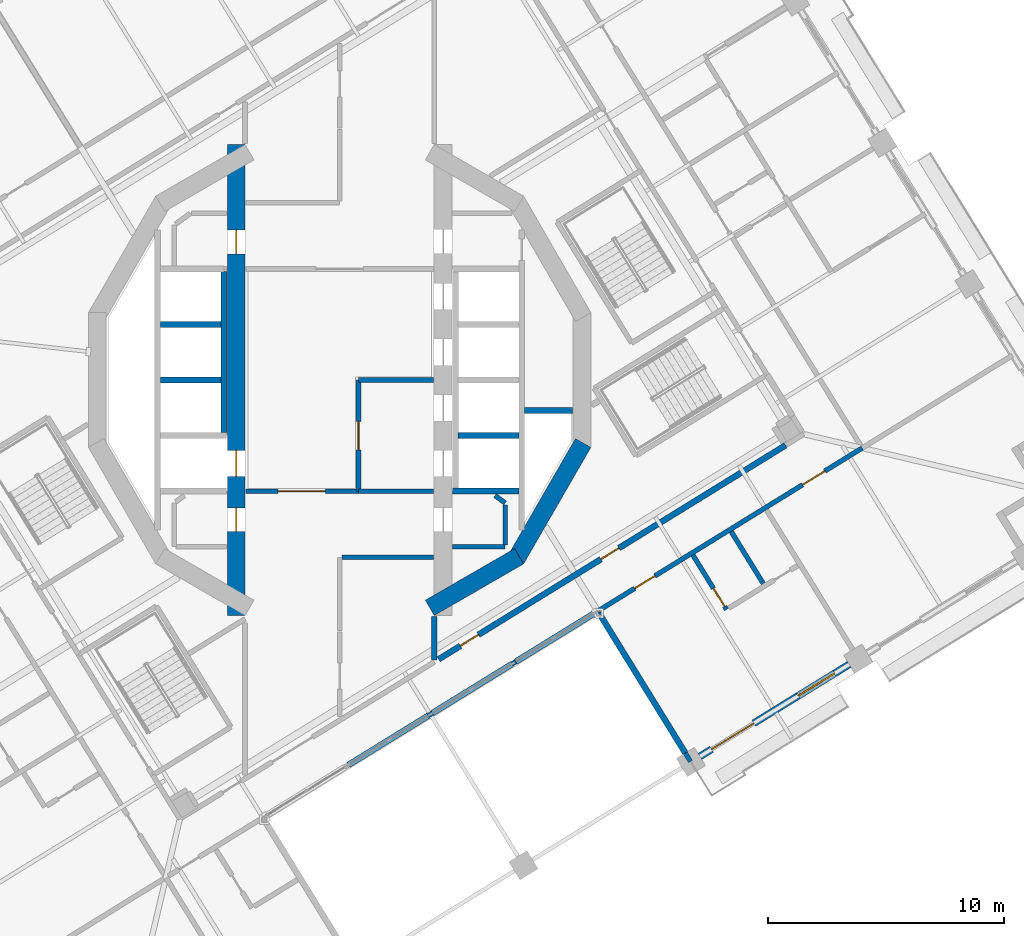
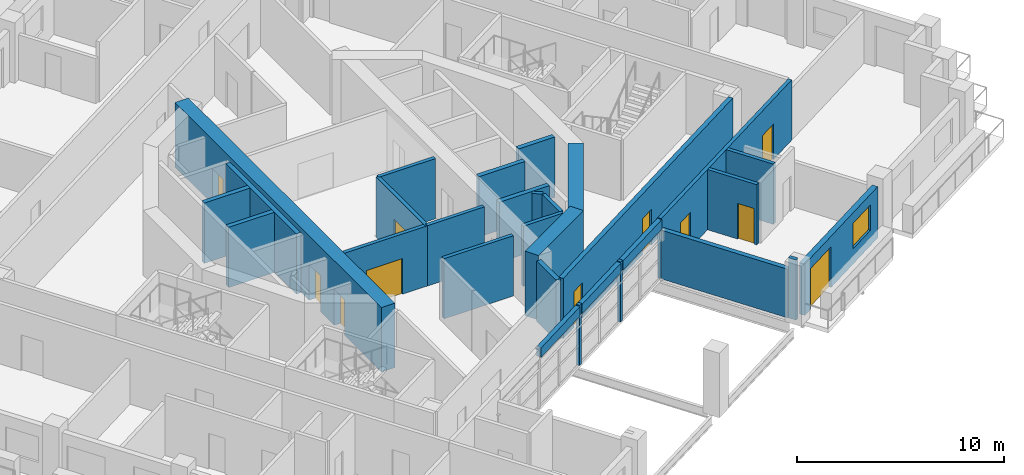
# One storey, part 10 of 22: 30 walls, 11 doors, 1 window, 12 openings.
"""IFC4 building model written with IfcOpenShell, lengths in metres."""

from ifc_helpers import new_model, si_unit, direction, frame, frame_2d, origin, place, context, subcontext, project, spatial, rectangle, extrude, material, layer, layer_set, type_object, element, fill, save


model = new_model("IFC4")

# Units and contexts
model_context = context("Model", 3, precision=1e-05, world=origin(), true_north=direction((0.0, 1.0)))
body_context = subcontext(model_context, "Body", "Model", "MODEL_VIEW")
ifc_project = project(units=[si_unit("LENGTHUNIT", "METRE"), si_unit("AREAUNIT", "SQUARE_METRE"), si_unit("VOLUMEUNIT", "CUBIC_METRE"), si_unit("PLANEANGLEUNIT", "RADIAN"), si_unit("MASSUNIT", "GRAM", prefix="KILO")], contexts=[model_context])

# Site, building, storey
site_placement = place(None, origin())
site = spatial("IfcSite", under=ifc_project, at=site_placement, CompositionType="ELEMENT")
building_placement = place(site_placement, origin())
building = spatial("IfcBuilding", under=site, at=building_placement, Name="Cantera Rosa Tower", CompositionType="ELEMENT")
storey_placement = place(building_placement, frame((0.0, 0.0, 178.0)))
storey = spatial("IfcBuildingStorey", under=building, at=storey_placement, Name="L39", CompositionType="ELEMENT", Elevation=178.0)

# Walls
ifc_material_1 = material(Name="Gypsum board partition")
ifc_layer_1 = layer(ifc_material_1, 0.199951171875)
ifc_layer_set_1 = layer_set([ifc_layer_1], Name="CORRIDOR WALL 200 H3550")
wall_type_1 = type_object("IfcWallType", Name="CORRIDOR WALL 200 H3550", PredefinedType="PARTITIONING", material=ifc_layer_set_1)
wall_1_placement = place(storey_placement, frame((3.74755859375, -14.1962890625, 0.0), z_axis=(0.0, 0.0, 1.0), x_axis=(0.850517497121, 0.525946753094, 0.0)))
element("IfcWall", 1, at=wall_1_placement, inside=storey, type_object=wall_type_1, Name="CORRIDOR WALL L39-037", PredefinedType="PARTITIONING", context=body_context, shape_type="SweptSolid", body=[
    extrude(rectangle(XDim=0.2060546875, YDim=0.199951171875, at=frame_2d((0.10302734375, 0.0))), origin(), (0.0, 0.0, 1.0), 3.550048828125),
])
wall_2_placement = place(storey_placement, frame((7.29345703125, -12.009033203125, 0.0), z_axis=(0.0, 0.0, 1.0), x_axis=(0.851095862204, 0.525010317365, 0.0)))
element("IfcWall", 2, at=wall_2_placement, inside=storey, type_object=wall_type_1, Name="CORRIDOR WALL L39-038", PredefinedType="PARTITIONING", context=body_context, shape_type="SweptSolid", body=[
    extrude(rectangle(XDim=0.19384765625, YDim=0.199951171875, at=frame_2d((0.096923828125, 0.0))), origin(), (0.0, 0.0, 1.0), 3.550048828125),
])

# Wall, openings, doors
wall_3_placement = place(storey_placement, frame((10.810302734375, -9.83984375, 0.0), z_axis=(0.0, 0.0, 1.0), x_axis=(0.851117553223, 0.52497515236, 0.0)))
wall_3 = element("IfcWall", 3, at=wall_3_placement, inside=storey, type_object=wall_type_1, Name="CORRIDOR WALL L39-039", PredefinedType="PARTITIONING", context=body_context, shape_type="SweptSolid", body=[
    extrude(rectangle(XDim=13.2646484375, YDim=0.199951171875, at=frame_2d((6.63232421875, 0.0))), origin(), (0.0, 0.0, 1.0), 3.550048828125),
])
opening_1_placement = place(wall_3_placement, frame((1.9599609375, 0.0, 0.0)))
opening_1 = element("IfcOpeningElement", 4, at=opening_1_placement, cuts=wall_3, Name="Opening L39-049", PredefinedType="OPENING", context=body_context, shape_type="SweptSolid", body=[
    extrude(rectangle(XDim=1.0, YDim=2.10009765625, at=frame_2d((0.5, 1.050048828125))), frame((0.0, 0.10986328125, 0.0), z_axis=(0.0, -1.0, 0.0), x_axis=(1.0, 0.0, 0.0)), (0.0, 0.0, 1.0), 0.219970703125),
])
opening_2_placement = place(wall_3_placement, frame((10.304931640625, 0.0, 0.0)))
opening_2 = element("IfcOpeningElement", 5, at=opening_2_placement, cuts=wall_3, Name="Opening L39-055", PredefinedType="OPENING", context=body_context, shape_type="SweptSolid", body=[
    extrude(rectangle(XDim=1.10009765625, YDim=2.10009765625, at=frame_2d((0.550048828125, 1.050048828125))), frame((0.0, 0.10986328125, 0.0), z_axis=(0.0, -1.0, 0.0), x_axis=(1.0, 0.0, 0.0)), (0.0, 0.0, 1.0), 0.219970703125),
])
ifc_material_2 = material(Name="Timber door leaf", Category="wood")
door_type_1 = type_object("IfcDoorType", Name="ENTRANCE DOOR 1000x2100", OperationType="NOTDEFINED", PredefinedType="DOOR", material=ifc_material_2)
door_1_placement = place(opening_1_placement, origin())
door_1 = element("IfcDoor", 6, at=door_1_placement, inside=storey, type_object=door_type_1, Name="DOOR L39-049", OperationType="NOTDEFINED", OverallHeight=2.10009765625, OverallWidth=1.0, PredefinedType="DOOR", context=body_context, shape_type="SweptSolid", body=[
    extrude(rectangle(XDim=1.0, YDim=2.10009765625, at=frame_2d((0.5, 1.050048828125))), frame((0.0, 0.02490234375, 0.0), z_axis=(0.0, -1.0, 0.0), x_axis=(1.0, 0.0, 0.0)), (0.0, 0.0, 1.0), 0.050048828125),
])
fill(opening_1, door_1)
ifc_material_3 = material(Name="Timber door leaf", Category="wood")
door_type_2 = type_object("IfcDoorType", Name="ROOM DOOR 1100x2100", OperationType="NOTDEFINED", PredefinedType="DOOR", material=ifc_material_3)
door_2_placement = place(opening_2_placement, origin())
door_2 = element("IfcDoor", 7, at=door_2_placement, inside=storey, type_object=door_type_2, Name="DOOR L39-055", OperationType="NOTDEFINED", OverallHeight=2.10009765625, OverallWidth=1.10009765625, PredefinedType="DOOR", context=body_context, shape_type="SweptSolid", body=[
    extrude(rectangle(XDim=1.10009765625, YDim=2.10009765625, at=frame_2d((0.550048828125, 1.050048828125))), frame((0.0, 0.02490234375, 0.0), z_axis=(0.0, -1.0, 0.0), x_axis=(1.0, 0.0, 0.0)), (0.0, 0.0, 1.0), 0.050048828125),
])
fill(opening_2, door_2)

# Wall, opening, door
wall_4_placement = place(storey_placement, frame((0.800048828125, -4.699951171875, 0.0), z_axis=(0.0, 0.0, 1.0), x_axis=(-1.0, 0.0, 0.0)))
wall_4 = element("IfcWall", 8, at=wall_4_placement, inside=storey, type_object=wall_type_1, Name="CORRIDOR WALL L39-069", PredefinedType="PARTITIONING", context=body_context, shape_type="SweptSolid", body=[
    extrude(rectangle(XDim=4.77001953125, YDim=0.199951171875, at=frame_2d((2.385009765625, 0.0))), origin(), (0.0, 0.0, 1.0), 3.550048828125),
])
opening_3_placement = place(wall_4_placement, frame((1.39990234375, 0.0, 0.0)))
opening_3 = element("IfcOpeningElement", 9, at=opening_3_placement, cuts=wall_4, Name="Opening L39-014", PredefinedType="OPENING", context=body_context, shape_type="SweptSolid", body=[
    extrude(rectangle(XDim=2.0, YDim=2.10009765625, at=frame_2d((1.0, 1.050048828125))), frame((0.0, 0.10986328125, 0.0), z_axis=(0.0, -1.0, 0.0), x_axis=(1.0, 0.0, 0.0)), (0.0, 0.0, 1.0), 0.219970703125),
])
ifc_material_4 = material(Name="Steel S355J2 (EN 10025-2)", Category="steel")
door_type_3 = type_object("IfcDoorType", Name="LOBBY SCREEN DOOR 2000x2100", OperationType="NOTDEFINED", PredefinedType="DOOR", material=ifc_material_4)
door_3_placement = place(opening_3_placement, origin())
door_3 = element("IfcDoor", 10, at=door_3_placement, inside=storey, type_object=door_type_3, Name="DOOR L39-014", OperationType="NOTDEFINED", OverallHeight=2.10009765625, OverallWidth=2.0, PredefinedType="DOOR", context=body_context, shape_type="SweptSolid", body=[
    extrude(rectangle(XDim=2.0, YDim=2.10009765625, at=frame_2d((1.0, 1.050048828125))), frame((0.0, 0.02490234375, 0.0), z_axis=(0.0, -1.0, 0.0), x_axis=(1.0, 0.0, 0.0)), (0.0, 0.0, 1.0), 0.050048828125),
])
fill(opening_3, door_3)

# Wall
wall_5_placement = place(storey_placement, frame((3.969970703125, -7.5, 0.0), z_axis=(0.0, 0.0, 1.0), x_axis=(-1.0, 0.0, 0.0)))
element("IfcWall", 11, at=wall_5_placement, inside=storey, type_object=wall_type_1, Name="CORRIDOR WALL L39-076", PredefinedType="PARTITIONING", context=body_context, shape_type="SweptSolid", body=[
    extrude(rectangle(XDim=3.869873046875, YDim=0.199951171875, at=frame_2d((1.93505859375, 0.0))), origin(), (0.0, 0.0, 1.0), 3.550048828125),
])

# Wall, openings, window, door
ifc_material_5 = material(Name="Hollow clay masonry with cantera stone cladding", Category="masonry")
ifc_layer_2 = layer(ifc_material_5, 0.300048828125)
ifc_layer_set_2 = layer_set([ifc_layer_2], Name="EW-LOGGIA 300 H3020")
wall_type_2 = type_object("IfcWallType", Name="EW-LOGGIA 300 H3020", PredefinedType="SOLIDWALL", material=ifc_layer_set_2)
wall_6_placement = place(storey_placement, frame((15.23681640625, -15.92138671875, 0.0), z_axis=(0.0, 0.0, 1.0), x_axis=(0.85112578684, 0.524961803349, 0.0)))
wall_6 = element("IfcWall", 12, at=wall_6_placement, inside=storey, type_object=wall_type_2, Name="EN-L39-W25", PredefinedType="SOLIDWALL", context=body_context, shape_type="SweptSolid", body=[
    extrude(rectangle(XDim=7.420166015625, YDim=0.300048828125, at=frame_2d((3.7099609375, 0.0))), origin(), (0.0, 0.0, 1.0), 3.02001953125),
])
opening_4_placement = place(wall_6_placement, frame((0.580078125, 0.0, 0.0)))
opening_4 = element("IfcOpeningElement", 13, at=opening_4_placement, cuts=wall_6, Name="Opening L39-TD33", PredefinedType="OPENING", context=body_context, shape_type="SweptSolid", body=[
    extrude(rectangle(XDim=2.10009765625, YDim=2.39990234375, at=frame_2d((1.050048828125, 1.199951171875))), frame((0.0, 0.159912109375, 0.0), z_axis=(0.0, -1.0, 0.0), x_axis=(1.0, 0.0, 0.0)), (0.0, 0.0, 1.0), 0.320068359375),
])
opening_5_placement = place(wall_6_placement, frame((4.889892578125, 0.0, 0.89990234375)))
opening_5 = element("IfcOpeningElement", 14, at=opening_5_placement, cuts=wall_6, Name="Opening L39-W34", PredefinedType="OPENING", context=body_context, shape_type="SweptSolid", body=[
    extrude(rectangle(XDim=1.800048828125, YDim=1.5, at=frame_2d((0.89990234375, 0.75))), frame((0.0, 0.159912109375, 0.0), z_axis=(0.0, -1.0, 0.0), x_axis=(1.0, 0.0, 0.0)), (0.0, 0.0, 1.0), 0.320068359375),
])
ifc_material_6 = material(Name="Aluminium frame with clear glass", Category="aluminium")
window_type = type_object("IfcWindowType", Name="Hotel room window 1800x1500", PartitioningType="DOUBLE_PANEL_VERTICAL", PredefinedType="WINDOW", material=ifc_material_6)
window_placement = place(opening_5_placement, origin())
window = element("IfcWindow", 15, at=window_placement, inside=storey, type_object=window_type, Name="WINDOW L39-W34", OverallHeight=1.5, OverallWidth=1.800048828125, PartitioningType="SINGLE_PANEL", PredefinedType="WINDOW", context=body_context, shape_type="SweptSolid", body=[
    extrude(rectangle(XDim=1.800048828125, YDim=1.5, at=frame_2d((0.89990234375, 0.75))), frame((0.0, 0.030029296875, 0.0), z_axis=(0.0, -1.0, 0.0), x_axis=(1.0, 0.0, 0.0)), (0.0, 0.0, 1.0), 0.06005859375),
])
fill(opening_5, window)
ifc_material_7 = material(Name="Aluminium frame with clear glass", Category="aluminium")
door_type_4 = type_object("IfcDoorType", Name="TD-H 2100x2400", OperationType="NOTDEFINED", PredefinedType="DOOR", material=ifc_material_7)
door_4_placement = place(opening_4_placement, origin())
door_4 = element("IfcDoor", 16, at=door_4_placement, inside=storey, type_object=door_type_4, Name="LOGGIA DOOR L39-TD33", OperationType="SLIDING_TO_LEFT", OverallHeight=2.39990234375, OverallWidth=2.10009765625, PredefinedType="DOOR", context=body_context, shape_type="SweptSolid", body=[
    extrude(rectangle(XDim=2.10009765625, YDim=2.39990234375, at=frame_2d((1.050048828125, 1.199951171875))), frame((0.0, 0.02490234375, 0.0), z_axis=(0.0, -1.0, 0.0), x_axis=(1.0, 0.0, 0.0)), (0.0, 0.0, 1.0), 0.050048828125),
])
fill(opening_4, door_4)

# Walls
ifc_material_8 = material(Name="Concrete C40/50", Category="concrete")
ifc_layer_3 = layer(ifc_material_8, 0.25)
ifc_layer_set_3 = layer_set([ifc_layer_3], Name="EW-POCKET CHEEK 250 H2870")
wall_type_3 = type_object("IfcWallType", Name="EW-POCKET CHEEK 250 H2870", PredefinedType="SOLIDWALL", material=ifc_layer_set_3)
wall_7_placement = place(storey_placement, frame((14.61767578125, -15.774658203125, 0.0), z_axis=(0.0, 0.0, 1.0), x_axis=(-0.524984984735, 0.851111488468, 0.0)))
element("IfcWall", 17, at=wall_7_placement, inside=storey, type_object=wall_type_3, Name="POCKET CHEEK B L39", PredefinedType="SOLIDWALL", context=body_context, shape_type="SweptSolid", body=[
    extrude(rectangle(XDim=6.949951171875, YDim=0.25, at=frame_2d((3.47509765625, 0.0))), origin(), (0.0, 0.0, 1.0), 2.8701171875),
])
ifc_material_9 = material(Name="Hollow clay masonry with cantera stone cladding", Category="masonry")
ifc_layer_4 = layer(ifc_material_9, 0.25)
ifc_layer_set_4 = layer_set([ifc_layer_4], Name="EW-POCKET REAR 250")
wall_type_4 = type_object("IfcWallType", Name="EW-POCKET REAR 250", PredefinedType="SOLIDWALL", material=ifc_layer_set_4)
wall_8_placement = place(storey_placement, frame((0.377197265625, -16.275146484375, 2.94189453125), z_axis=(0.0, 0.0, 1.0), x_axis=(0.85109052377, 0.525018971418, 0.0)))
element("IfcWall", 18, at=wall_8_placement, inside=storey, type_object=wall_type_4, Name="POCKET SPANDREL L39-2", PredefinedType="SOLIDWALL", context=body_context, shape_type="SweptSolid", body=[
    extrude(rectangle(XDim=3.9599609375, YDim=0.25, at=frame_2d((1.97998046875, 0.0))), origin(), (0.0, 0.0, 1.0), 0.55810546875),
])
wall_9_placement = place(storey_placement, frame((3.9228515625, -14.088134765625, 2.94189453125), z_axis=(0.0, 0.0, 1.0), x_axis=(0.851107516187, 0.524991424587, 0.0)))
element("IfcWall", 19, at=wall_9_placement, inside=storey, type_object=wall_type_4, Name="POCKET SPANDREL L39-3", PredefinedType="SOLIDWALL", context=body_context, shape_type="SweptSolid", body=[
    extrude(rectangle(XDim=3.960205078125, YDim=0.25, at=frame_2d((1.97998046875, 0.0))), origin(), (0.0, 0.0, 1.0), 0.55810546875),
])
wall_10_placement = place(storey_placement, frame((7.45849609375, -11.9072265625, 2.94189453125), z_axis=(0.0, 0.0, 1.0), x_axis=(0.851104385995, 0.52499649917, 0.0)))
element("IfcWall", 20, at=wall_10_placement, inside=storey, type_object=wall_type_4, Name="POCKET SPANDREL L39-4", PredefinedType="SOLIDWALL", context=body_context, shape_type="SweptSolid", body=[
    extrude(rectangle(XDim=3.93798828125, YDim=0.25, at=frame_2d((1.968994140625, 0.0))), origin(), (0.0, 0.0, 1.0), 0.55810546875),
])
ifc_material_10 = material(Name="Gypsum board partition")
ifc_layer_5 = layer(ifc_material_10, 0.199951171875)
ifc_layer_set_5 = layer_set([ifc_layer_5], Name="PARTITION 200 H3550")
wall_type_5 = type_object("IfcWallType", Name="PARTITION 200 H3550", PredefinedType="PARTITIONING", material=ifc_layer_set_5)
wall_11_placement = place(storey_placement, frame((6.572509765625, -4.888427734375, 0.0), z_axis=(0.0, 0.0, 1.0), x_axis=(0.808176867567, -0.588939853236, 0.0)))
element("IfcWall", 21, at=wall_11_placement, inside=storey, type_object=wall_type_5, Name="PARTITION L39-086", PredefinedType="PARTITIONING", context=body_context, shape_type="SweptSolid", body=[
    extrude(rectangle(XDim=0.529052734375, YDim=0.199951171875, at=frame_2d((0.2646484375, 0.0))), origin(), (0.0, 0.0, 1.0), 3.550048828125),
])
wall_12_placement = place(storey_placement, frame((7.0, -7.050048828125, 0.0), z_axis=(0.0, 0.0, 1.0), x_axis=(-1.0, 0.0, 0.0)))
element("IfcWall", 22, at=wall_12_placement, inside=storey, type_object=wall_type_5, Name="PARTITION L39-089", PredefinedType="PARTITIONING", context=body_context, shape_type="SweptSolid", body=[
    extrude(rectangle(XDim=2.219970703125, YDim=0.199951171875, at=frame_2d((1.10986328125, 0.0))), origin(), (0.0, 0.0, 1.0), 3.550048828125),
])
wall_13_placement = place(storey_placement, frame((7.0, -5.280029296875, 0.0), z_axis=(0.0, 0.0, 1.0), x_axis=(0.0, -1.0, 0.0)))
element("IfcWall", 23, at=wall_13_placement, inside=storey, type_object=wall_type_5, Name="PARTITION L39-090", PredefinedType="PARTITIONING", context=body_context, shape_type="SweptSolid", body=[
    extrude(rectangle(XDim=1.68994140625, YDim=0.199951171875, at=frame_2d((0.844970703125, 0.0))), origin(), (0.0, 0.0, 1.0), 3.550048828125),
])
wall_14_placement = place(storey_placement, frame((14.838134765625, -16.132080078125, 0.0), z_axis=(0.0, 0.0, 1.0), x_axis=(-0.524972939322, 0.851118918236, 0.0)))
element("IfcWall", 24, at=wall_14_placement, inside=storey, type_object=wall_type_5, Name="PARTITION L39-113", PredefinedType="PARTITIONING", context=body_context, shape_type="SweptSolid", body=[
    extrude(rectangle(XDim=0.419921875, YDim=0.199951171875, at=frame_2d((0.2099609375, 0.0))), origin(), (0.0, 0.0, 1.0), 3.550048828125),
])

# Wall, opening, door
wall_15_placement = place(storey_placement, frame((16.361083984375, -9.705810546875, 0.0), z_axis=(0.0, 0.0, 1.0), x_axis=(-0.524909448059, 0.851158076586, 0.0)))
wall_15 = element("IfcWall", 25, at=wall_15_placement, inside=storey, type_object=wall_type_5, Name="PARTITION L39-118", PredefinedType="PARTITIONING", context=body_context, shape_type="SweptSolid", body=[
    extrude(rectangle(XDim=2.699951171875, YDim=0.199951171875, at=frame_2d((1.35009765625, 0.0))), origin(), (0.0, 0.0, 1.0), 3.550048828125),
])
opening_6_placement = place(wall_15_placement, frame((0.14990234375, 0.0, 0.0)))
opening_6 = element("IfcOpeningElement", 26, at=opening_6_placement, cuts=wall_15, Name="Opening L39-051", PredefinedType="OPENING", context=body_context, shape_type="SweptSolid", body=[
    extrude(rectangle(XDim=0.89990234375, YDim=2.10009765625, at=frame_2d((0.449951171875, 1.050048828125))), frame((0.0, 0.10986328125, 0.0), z_axis=(0.0, -1.0, 0.0), x_axis=(1.0, 0.0, 0.0)), (0.0, 0.0, 1.0), 0.219970703125),
])
ifc_material_11 = material(Name="Timber door leaf", Category="wood")
door_type_5 = type_object("IfcDoorType", Name="ROOM DOOR 900x2100", OperationType="NOTDEFINED", PredefinedType="DOOR", material=ifc_material_11)
door_5_placement = place(opening_6_placement, origin())
door_5 = element("IfcDoor", 27, at=door_5_placement, inside=storey, type_object=door_type_5, Name="DOOR L39-051", OperationType="NOTDEFINED", OverallHeight=2.10009765625, OverallWidth=0.89990234375, PredefinedType="DOOR", context=body_context, shape_type="SweptSolid", body=[
    extrude(rectangle(XDim=0.89990234375, YDim=2.10009765625, at=frame_2d((0.449951171875, 1.050048828125))), frame((0.0, 0.02490234375, 0.0), z_axis=(0.0, -1.0, 0.0), x_axis=(1.0, 0.0, 0.0)), (0.0, 0.0, 1.0), 0.050048828125),
])
fill(opening_6, door_5)

# Wall
wall_16_placement = place(storey_placement, frame((17.915283203125, -8.606201171875, 0.0), z_axis=(0.0, 0.0, 1.0), x_axis=(-0.525005247362, 0.851098989685, 0.0)))
element("IfcWall", 28, at=wall_16_placement, inside=storey, type_object=wall_type_5, Name="PARTITION L39-121", PredefinedType="PARTITIONING", context=body_context, shape_type="SweptSolid", body=[
    extrude(rectangle(XDim=2.580078125, YDim=0.199951171875, at=frame_2d((1.2900390625, 0.0))), origin(), (0.0, 0.0, 1.0), 3.550048828125),
])

# Wall, openings, doors
ifc_material_12 = material(Name="Concrete C60/75", Category="concrete")
ifc_layer_6 = layer(ifc_material_12, 0.75)
ifc_layer_set_6 = layer_set([ifc_layer_6], Name="RC CORE WALL 750 C60/75")
wall_type_6 = type_object("IfcWallType", Name="RC CORE WALL 750 C60/75", PredefinedType="SHEAR", material=ifc_layer_set_6)
wall_17_placement = place(storey_placement, frame((-4.375, 9.95947265625, 0.0), z_axis=(0.0, 0.0, 1.0), x_axis=(0.0, -1.0, 0.0)))
wall_17 = element("IfcWall", 29, at=wall_17_placement, inside=storey, type_object=wall_type_6, Name="CW-W6 L39", PredefinedType="SHEAR", context=body_context, shape_type="SweptSolid", body=[
    extrude(rectangle(XDim=19.9189453125, YDim=0.75, at=frame_2d((9.95947265625, 0.0))), origin(), (0.0, 0.0, 1.0), 3.800048828125),
])
opening_7_placement = place(wall_17_placement, frame((12.9345703125, 0.0, 0.0)))
opening_7 = element("IfcOpeningElement", 30, at=opening_7_placement, cuts=wall_17, Name="Opening LD-P3-L39", PredefinedType="OPENING", context=body_context, shape_type="SweptSolid", body=[
    extrude(rectangle(XDim=1.10009765625, YDim=2.10009765625, at=frame_2d((0.550048828125, 1.050048828125))), frame((0.0, 0.385009765625, 0.0), z_axis=(0.0, -1.0, 0.0), x_axis=(1.0, 0.0, 0.0)), (0.0, 0.0, 1.0), 0.77001953125),
])
opening_8_placement = place(wall_17_placement, frame((15.368408203125, 0.0, 0.0)))
opening_8 = element("IfcOpeningElement", 31, at=opening_8_placement, cuts=wall_17, Name="Opening SD-L39-18", PredefinedType="OPENING", context=body_context, shape_type="SweptSolid", body=[
    extrude(rectangle(XDim=1.0, YDim=2.10009765625, at=frame_2d((0.5, 1.050048828125))), frame((0.0, 0.385009765625, 0.0), z_axis=(0.0, -1.0, 0.0), x_axis=(1.0, 0.0, 0.0)), (0.0, 0.0, 1.0), 0.77001953125),
])
opening_9_placement = place(wall_17_placement, frame((3.618408203125, 0.0, 0.0)))
opening_9 = element("IfcOpeningElement", 32, at=opening_9_placement, cuts=wall_17, Name="Opening SD-L39-19", PredefinedType="OPENING", context=body_context, shape_type="SweptSolid", body=[
    extrude(rectangle(XDim=1.0, YDim=2.10009765625, at=frame_2d((0.5, 1.050048828125))), frame((0.0, 0.385009765625, 0.0), z_axis=(0.0, -1.0, 0.0), x_axis=(1.0, 0.0, 0.0)), (0.0, 0.0, 1.0), 0.77001953125),
])
ifc_material_13 = material(Name="Steel S355J2 (EN 10025-2)", Category="steel")
door_type_6 = type_object("IfcDoorType", Name="LANDING DOOR 1100x2100", OperationType="NOTDEFINED", PredefinedType="DOOR", material=ifc_material_13)
door_6_placement = place(opening_7_placement, origin())
door_6 = element("IfcDoor", 33, at=door_6_placement, inside=storey, type_object=door_type_6, Name="LANDING DOOR P3 L39", OperationType="SLIDING_TO_LEFT", OverallHeight=2.10009765625, OverallWidth=1.10009765625, PredefinedType="DOOR", context=body_context, shape_type="SweptSolid", body=[
    extrude(rectangle(XDim=1.10009765625, YDim=2.10009765625, at=frame_2d((0.550048828125, 1.050048828125))), frame((0.0, 0.02490234375, 0.0), z_axis=(0.0, -1.0, 0.0), x_axis=(1.0, 0.0, 0.0)), (0.0, 0.0, 1.0), 0.050048828125),
])
fill(opening_7, door_6)
ifc_material_14 = material(Name="Timber door leaf", Category="wood")
door_type_7 = type_object("IfcDoorType", Name="SERVICE DOOR 1000x2100", OperationType="NOTDEFINED", PredefinedType="DOOR", material=ifc_material_14)
door_7_placement = place(opening_8_placement, origin())
door_7 = element("IfcDoor", 34, at=door_7_placement, inside=storey, type_object=door_type_7, Name="DOOR L39-SD18", OperationType="NOTDEFINED", OverallHeight=2.10009765625, OverallWidth=1.0, PredefinedType="DOOR", context=body_context, shape_type="SweptSolid", body=[
    extrude(rectangle(XDim=1.0, YDim=2.10009765625, at=frame_2d((0.5, 1.050048828125))), frame((0.0, 0.02490234375, 0.0), z_axis=(0.0, -1.0, 0.0), x_axis=(1.0, 0.0, 0.0)), (0.0, 0.0, 1.0), 0.050048828125),
])
fill(opening_8, door_7)
door_8_placement = place(opening_9_placement, origin())
door_8 = element("IfcDoor", 35, at=door_8_placement, inside=storey, type_object=door_type_7, Name="DOOR L39-SD19", OperationType="NOTDEFINED", OverallHeight=2.10009765625, OverallWidth=1.0, PredefinedType="DOOR", context=body_context, shape_type="SweptSolid", body=[
    extrude(rectangle(XDim=1.0, YDim=2.10009765625, at=frame_2d((0.5, 1.050048828125))), frame((0.0, 0.02490234375, 0.0), z_axis=(0.0, -1.0, 0.0), x_axis=(1.0, 0.0, 0.0)), (0.0, 0.0, 1.0), 0.050048828125),
])
fill(opening_9, door_8)

# Walls
wall_18_placement = place(storey_placement, frame((10.300537109375, -2.659423828125, 0.0), z_axis=(0.0, 0.0, 1.0), x_axis=(-0.500021842983, -0.866012792365, 0.0)))
element("IfcWall", 36, at=wall_18_placement, inside=storey, type_object=wall_type_6, Name="CW-E4 L39", PredefinedType="SHEAR", context=body_context, shape_type="SweptSolid", body=[
    extrude(rectangle(XDim=5.694091796875, YDim=0.75, at=frame_2d((2.84716796875, 0.0))), origin(), (0.0, 0.0, 1.0), 3.800048828125),
])
wall_19_placement = place(storey_placement, frame((7.590576171875, -7.453369140625, 0.0), z_axis=(0.0, 0.0, 1.0), x_axis=(-0.866013176292, -0.50002117804, 0.0)))
element("IfcWall", 37, at=wall_19_placement, inside=storey, type_object=wall_type_6, Name="CW-E5 L39", PredefinedType="SHEAR", context=body_context, shape_type="SweptSolid", body=[
    extrude(rectangle(XDim=4.362548828125, YDim=0.75, at=frame_2d((2.18115234375, 0.0))), origin(), (0.0, 0.0, 1.0), 3.800048828125),
])
ifc_material_15 = material(Name="Masonry blockwork", Category="masonry")
ifc_layer_7 = layer(ifc_material_15, 0.25)
ifc_layer_set_7 = layer_set([ifc_layer_7], Name="SHAFT WALL 250 H3550")
wall_type_7 = type_object("IfcWallType", Name="SHAFT WALL 250 H3550", PredefinedType="SOLIDWALL", material=ifc_layer_set_7)
for number, where, z_axis, x_axis, name in (
    (38, (-7.574951171875, 0.0, 0.0), (0.0, 0.0, 1.0), (1.0, 0.0, 0.0), "SHAFT WALL L39-030"),
    (39, (-7.574951171875, 2.35009765625, 0.0), (0.0, 0.0, 1.0), (1.0, 0.0, 0.0), "SHAFT WALL L39-031"),
):
    element("IfcWall", number, at=place(storey_placement, frame(where, z_axis=z_axis, x_axis=x_axis)), inside=storey, type_object=wall_type_7, Name=name, PredefinedType="SOLIDWALL", context=body_context, shape_type="SweptSolid", body=[
        extrude(rectangle(XDim=2.550048828125, YDim=0.25, at=frame_2d((1.27490234375, 0.0))), origin(), (0.0, 0.0, 1.0), 3.550048828125),
    ])
wall_20_placement = place(storey_placement, frame((-4.89990234375, 4.580078125, 0.0), z_axis=(0.0, 0.0, 1.0), x_axis=(0.0, -1.0, 0.0)))
element("IfcWall", 40, at=wall_20_placement, inside=storey, type_object=wall_type_7, Name="SHAFT WALL L39-049", PredefinedType="SOLIDWALL", context=body_context, shape_type="SweptSolid", body=[
    extrude(rectangle(XDim=6.80517578125, YDim=0.25, at=frame_2d((3.402587890625, 0.0))), origin(), (0.0, 0.0, 1.0), 3.550048828125),
])
wall_21_placement = place(storey_placement, frame((4.0, -11.845703125, 0.0), z_axis=(0.0, 0.0, 1.0), x_axis=(0.0, 1.0, 0.0)))
element("IfcWall", 41, at=wall_21_placement, inside=storey, type_object=wall_type_7, Name="SHAFT WALL L39-078", PredefinedType="SOLIDWALL", context=body_context, shape_type="SweptSolid", body=[
    extrude(rectangle(XDim=1.8515625, YDim=0.25, at=frame_2d((0.92578125, 0.0))), origin(), (0.0, 0.0, 1.0), 3.550048828125),
])

# Wall, openings, doors
wall_22_placement = place(storey_placement, frame((4.187255859375, -11.81005859375, 0.0), z_axis=(0.0, 0.0, 1.0), x_axis=(0.851119501836, 0.524971993153, 0.0)))
wall_22 = element("IfcWall", 42, at=wall_22_placement, inside=storey, type_object=wall_type_7, Name="SHAFT WALL L39-079", PredefinedType="SOLIDWALL", context=body_context, shape_type="SweptSolid", body=[
    extrude(rectangle(XDim=17.236328125, YDim=0.25, at=frame_2d((8.6181640625, 0.0))), origin(), (0.0, 0.0, 1.0), 3.550048828125),
])
opening_10_placement = place(wall_22_placement, frame((1.07568359375, 0.0, 0.0)))
opening_10 = element("IfcOpeningElement", 43, at=opening_10_placement, cuts=wall_22, Name="Opening L39-009", PredefinedType="OPENING", context=body_context, shape_type="SweptSolid", body=[
    extrude(rectangle(XDim=0.89990234375, YDim=2.10009765625, at=frame_2d((0.449951171875, 1.050048828125))), frame((0.0, 0.135009765625, 0.0), z_axis=(0.0, -1.0, 0.0), x_axis=(1.0, 0.0, 0.0)), (0.0, 0.0, 1.0), 0.27001953125),
])
opening_11_placement = place(wall_22_placement, frame((8.05810546875, 0.0, 0.0)))
opening_11 = element("IfcOpeningElement", 44, at=opening_11_placement, cuts=wall_22, Name="Opening L39-056", PredefinedType="OPENING", context=body_context, shape_type="SweptSolid", body=[
    extrude(rectangle(XDim=0.89990234375, YDim=2.10009765625, at=frame_2d((0.449951171875, 1.050048828125))), frame((0.0, 0.135009765625, 0.0), z_axis=(0.0, -1.0, 0.0), x_axis=(1.0, 0.0, 0.0)), (0.0, 0.0, 1.0), 0.27001953125),
])
ifc_material_16 = material(Name="Timber door leaf", Category="wood")
door_type_8 = type_object("IfcDoorType", Name="SERVICE DOOR 900x2100", OperationType="NOTDEFINED", PredefinedType="DOOR", material=ifc_material_16)
door_9_placement = place(opening_10_placement, origin())
door_9 = element("IfcDoor", 45, at=door_9_placement, inside=storey, type_object=door_type_8, Name="RISER DOOR L39-009", OperationType="NOTDEFINED", OverallHeight=2.10009765625, OverallWidth=0.89990234375, PredefinedType="DOOR", context=body_context, shape_type="SweptSolid", body=[
    extrude(rectangle(XDim=0.89990234375, YDim=2.10009765625, at=frame_2d((0.449951171875, 1.050048828125))), frame((0.0, 0.02490234375, 0.0), z_axis=(0.0, -1.0, 0.0), x_axis=(1.0, 0.0, 0.0)), (0.0, 0.0, 1.0), 0.050048828125),
])
fill(opening_10, door_9)
door_10_placement = place(opening_11_placement, origin())
door_10 = element("IfcDoor", 46, at=door_10_placement, inside=storey, type_object=door_type_8, Name="RISER DOOR L39-056", OperationType="NOTDEFINED", OverallHeight=2.10009765625, OverallWidth=0.89990234375, PredefinedType="DOOR", context=body_context, shape_type="SweptSolid", body=[
    extrude(rectangle(XDim=0.89990234375, YDim=2.10009765625, at=frame_2d((0.449951171875, 1.050048828125))), frame((0.0, 0.02490234375, 0.0), z_axis=(0.0, -1.0, 0.0), x_axis=(1.0, 0.0, 0.0)), (0.0, 0.0, 1.0), 0.050048828125),
])
fill(opening_11, door_10)

# Walls
wall_23_placement = place(storey_placement, frame((7.574951171875, -4.699951171875, 0.0), z_axis=(0.0, 0.0, 1.0), x_axis=(-1.0, 0.0, 0.0)))
element("IfcWall", 47, at=wall_23_placement, inside=storey, type_object=wall_type_7, Name="SHAFT WALL L39-096", PredefinedType="SOLIDWALL", context=body_context, shape_type="SweptSolid", body=[
    extrude(rectangle(XDim=2.794921875, YDim=0.25, at=frame_2d((1.3974609375, 0.0))), origin(), (0.0, 0.0, 1.0), 3.550048828125),
])
wall_24_placement = place(storey_placement, frame((7.574951171875, -2.35009765625, 0.0), z_axis=(0.0, 0.0, 1.0), x_axis=(-1.0, 0.0, 0.0)))
element("IfcWall", 48, at=wall_24_placement, inside=storey, type_object=wall_type_7, Name="SHAFT WALL L39-097", PredefinedType="SOLIDWALL", context=body_context, shape_type="SweptSolid", body=[
    extrude(rectangle(XDim=2.56005859375, YDim=0.25, at=frame_2d((1.280029296875, 0.0))), origin(), (0.0, 0.0, 1.0), 3.550048828125),
])
wall_25_placement = place(storey_placement, frame((7.824951171875, -1.28271484375, 0.0), z_axis=(0.0, 0.0, 1.0), x_axis=(1.0, 0.0, 0.0)))
element("IfcWall", 49, at=wall_25_placement, inside=storey, type_object=wall_type_7, Name="SHAFT WALL L39-098", PredefinedType="SOLIDWALL", context=body_context, shape_type="SweptSolid", body=[
    extrude(rectangle(XDim=2.020263671875, YDim=0.25, at=frame_2d((1.01025390625, 0.0))), origin(), (0.0, 0.0, 1.0), 3.550048828125),
])

# Wall, opening, door
ifc_material_17 = material(Name="Concrete C50/60", Category="concrete")
ifc_layer_8 = layer(ifc_material_17, 0.199951171875)
ifc_layer_set_8 = layer_set([ifc_layer_8], Name="STAIR WALL 200 H3550")
wall_type_8 = type_object("IfcWallType", Name="STAIR WALL 200 H3550", PredefinedType="SOLIDWALL", material=ifc_layer_set_8)
wall_26_placement = place(storey_placement, frame((0.800048828125, -4.699951171875, 0.0), z_axis=(0.0, 0.0, 1.0), x_axis=(0.0, 1.0, 0.0)))
wall_26 = element("IfcWall", 50, at=wall_26_placement, inside=storey, type_object=wall_type_8, Name="STAIR WALL L39-070", PredefinedType="SOLIDWALL", context=body_context, shape_type="SweptSolid", body=[
    extrude(rectangle(XDim=4.699951171875, YDim=0.199951171875, at=frame_2d((2.35009765625, 0.0))), origin(), (0.0, 0.0, 1.0), 3.550048828125),
])
opening_12_placement = place(wall_26_placement, frame((1.75, 0.0, 0.0)))
opening_12 = element("IfcOpeningElement", 51, at=opening_12_placement, cuts=wall_26, Name="Opening L39-015", PredefinedType="OPENING", context=body_context, shape_type="SweptSolid", body=[
    extrude(rectangle(XDim=1.199951171875, YDim=2.10009765625, at=frame_2d((0.60009765625, 1.050048828125))), frame((0.0, 0.10986328125, 0.0), z_axis=(0.0, -1.0, 0.0), x_axis=(1.0, 0.0, 0.0)), (0.0, 0.0, 1.0), 0.219970703125),
])
ifc_material_18 = material(Name="Steel S355J2 (EN 10025-2)", Category="steel")
door_type_9 = type_object("IfcDoorType", Name="FIRE DOOR 1200x2100", OperationType="NOTDEFINED", PredefinedType="DOOR", material=ifc_material_18)
door_11_placement = place(opening_12_placement, origin())
door_11 = element("IfcDoor", 52, at=door_11_placement, inside=storey, type_object=door_type_9, Name="DOOR L39-015", OperationType="NOTDEFINED", OverallHeight=2.10009765625, OverallWidth=1.199951171875, PredefinedType="DOOR", context=body_context, shape_type="SweptSolid", body=[
    extrude(rectangle(XDim=1.199951171875, YDim=2.10009765625, at=frame_2d((0.60009765625, 1.050048828125))), frame((0.0, 0.02490234375, 0.0), z_axis=(0.0, -1.0, 0.0), x_axis=(1.0, 0.0, 0.0)), (0.0, 0.0, 1.0), 0.050048828125),
])
fill(opening_12, door_11)

# Walls
for number, where, z_axis, x_axis, name in (
    (53, (0.800048828125, 0.0, 0.0), (0.0, 0.0, 1.0), (1.0, 0.0, 0.0), "STAIR WALL L39-071"),
    (54, (3.969970703125, -4.699951171875, 0.0), (0.0, 0.0, 1.0), (-1.0, 0.0, 0.0), "STAIR WALL L39-077"),
):
    element("IfcWall", number, at=place(storey_placement, frame(where, z_axis=z_axis, x_axis=x_axis)), inside=storey, type_object=wall_type_8, Name=name, PredefinedType="SOLIDWALL", context=body_context, shape_type="SweptSolid", body=[
        extrude(rectangle(XDim=3.169921875, YDim=0.199951171875, at=frame_2d((1.5849609375, 0.0))), origin(), (0.0, 0.0, 1.0), 3.550048828125),
    ])

save(model, "model.ifc")
